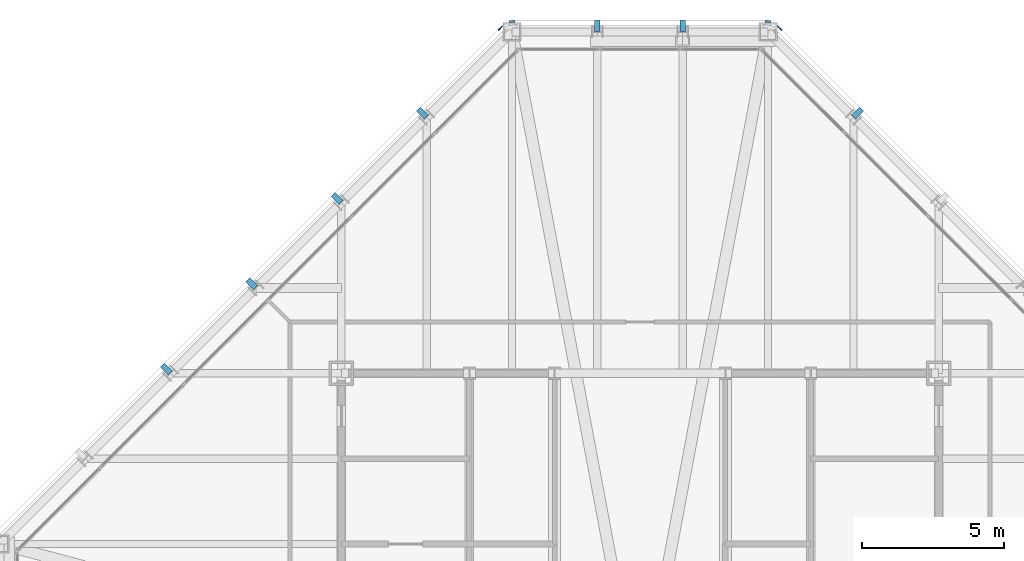
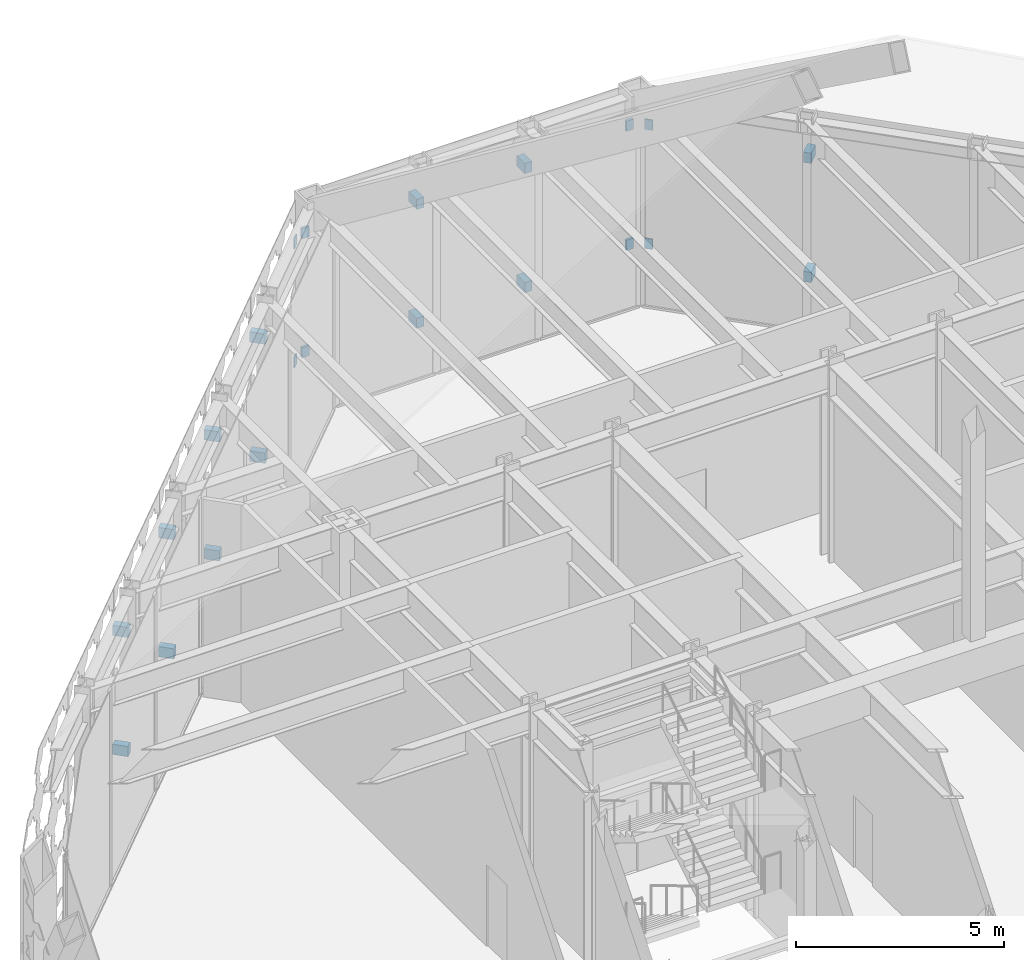
# One storey, part 19 of 30: 22 discrete accessories.
"""IFC4 building model written with IfcOpenShell, lengths in metres."""

from ifc_helpers import new_model, si_unit, direction, frame, origin, origin_2d, place, context, subcontext, project, spatial, rectangle, extrude, material, type_object, element, save


model = new_model("IFC4")

# Units and contexts
model_context = context("Model", 3, precision=1e-05, world=origin(), true_north=direction((0.0, 1.0)))
body_context = subcontext(model_context, "Body", "Model", "MODEL_VIEW")
ifc_project = project(units=[si_unit("LENGTHUNIT", "METRE"), si_unit("AREAUNIT", "SQUARE_METRE"), si_unit("VOLUMEUNIT", "CUBIC_METRE"), si_unit("PLANEANGLEUNIT", "RADIAN"), si_unit("MASSUNIT", "GRAM", prefix="KILO")], contexts=[model_context])

# Site, building, storey
site_placement = place(None, origin())
site = spatial("IfcSite", under=ifc_project, at=site_placement, CompositionType="ELEMENT")
building_placement = place(site_placement, origin())
building = spatial("IfcBuilding", under=site, at=building_placement, Name="Chuquiago Exchange Tower", CompositionType="ELEMENT")
storey_placement = place(building_placement, frame((0.0, 0.0, 306.0)))
storey = spatial("IfcBuildingStorey", under=building, at=storey_placement, Name="L68", CompositionType="ELEMENT", Elevation=306.0)

# Discrete accessories
ifc_material_1 = material(Name="Stainless steel plate bracket", Category="steel")
discrete_accessory_type_1 = type_object("IfcDiscreteAccessoryType", Name="GB1 cladding bracket 388", PredefinedType="BRACKET", material=ifc_material_1)
for number, where, z_axis, x_axis, name in (
    (1, (24.0, 45.206298828125, 1.0048828125), (0.0, 0.0, 1.0), (-1.0, 0.0, 0.0), "Cladding bracket L68 N"),
    (2, (24.0, 45.206298828125, 4.5), (0.0, 0.0, 1.0), (-1.0, 0.0, 0.0), "Cladding bracket L68 N"),
    (3, (21.0, 45.206298828125, 1.0048828125), (0.0, 0.0, 1.0), (-1.0, 0.0, 0.0), "Cladding bracket L68 N"),
    (4, (21.0, 45.206298828125, 4.5), (0.0, 0.0, 1.0), (-1.0, 0.0, 0.0), "Cladding bracket L68 N"),
):
    element("IfcDiscreteAccessory", number, at=place(storey_placement, frame(where, z_axis=z_axis, x_axis=x_axis)), inside=storey, type_object=discrete_accessory_type_1, Name=name, PredefinedType="BRACKET", context=body_context, shape_type="SweptSolid", body=[
        extrude(rectangle(XDim=0.199951171875, YDim=0.3876953125, at=origin_2d()), origin(), (0.0, 0.0, 1.0), 0.300048828125),
    ])
ifc_material_2 = material(Name="Stainless steel plate bracket", Category="steel")
discrete_accessory_type_2 = type_object("IfcDiscreteAccessoryType", Name="GB2 cladding bracket 386", PredefinedType="BRACKET", material=ifc_material_2)
for number, where, z_axis, x_axis, name in (
    (5, (30.146240234375, 42.146240234375, 1.0048828125), (0.0, 0.0, 1.0), (-0.707106781187, 0.707106781187, 0.0), "Cladding bracket L68 NE"),
    (6, (30.146240234375, 42.146240234375, 4.5), (0.0, 0.0, 1.0), (-0.707106781187, 0.707106781187, 0.0), "Cladding bracket L68 NE"),
    (7, (14.853759765625, 42.146240234375, 1.0048828125), (0.0, 0.0, 1.0), (-0.707106781187, -0.707106781187, 0.0), "Cladding bracket L68 NW"),
    (8, (14.853759765625, 42.146240234375, 4.5), (0.0, 0.0, 1.0), (-0.707106781187, -0.707106781187, 0.0), "Cladding bracket L68 NW"),
    (9, (11.853759765625, 39.146240234375, 1.0048828125), (0.0, 0.0, 1.0), (-0.707106781187, -0.707106781187, 0.0), "Cladding bracket L68 NW"),
    (10, (11.853759765625, 39.146240234375, 4.5), (0.0, 0.0, 1.0), (-0.707106781187, -0.707106781187, 0.0), "Cladding bracket L68 NW"),
    (11, (8.853759765625, 36.146240234375, 1.0048828125), (0.0, 0.0, 1.0), (-0.707106781187, -0.707106781187, 0.0), "Cladding bracket L68 NW"),
    (12, (8.853759765625, 36.146240234375, 4.5), (0.0, 0.0, 1.0), (-0.707106781187, -0.707106781187, 0.0), "Cladding bracket L68 NW"),
    (13, (5.853759765625, 33.146240234375, 1.0048828125), (0.0, 0.0, 1.0), (-0.707106781187, -0.707106781187, 0.0), "Cladding bracket L68 NW"),
    (14, (5.853759765625, 33.146240234375, 4.5), (0.0, 0.0, 1.0), (-0.707106781187, -0.707106781187, 0.0), "Cladding bracket L68 NW"),
):
    element("IfcDiscreteAccessory", number, at=place(storey_placement, frame(where, z_axis=z_axis, x_axis=x_axis)), inside=storey, type_object=discrete_accessory_type_2, Name=name, PredefinedType="BRACKET", context=body_context, shape_type="SweptSolid", body=[
        extrude(rectangle(XDim=0.199951171875, YDim=0.386474609375, at=origin_2d()), origin(), (0.0, 0.0, 1.0), 0.300048828125),
    ])
ifc_material_3 = material(Name="Stainless steel plate bracket", Category="steel")
discrete_accessory_type_3 = type_object("IfcDiscreteAccessoryType", Name="GB4 cladding bracket 75", PredefinedType="BRACKET", material=ifc_material_3)
for number, where, z_axis, x_axis, name in (
    (15, (27.0, 45.362548828125, 1.0048828125), (0.0, 0.0, 1.0), (-1.0, 0.0, 0.0), "Cladding bracket L68 N"),
    (16, (27.0, 45.362548828125, 4.5), (0.0, 0.0, 1.0), (-1.0, 0.0, 0.0), "Cladding bracket L68 N"),
    (17, (18.0, 45.362548828125, 1.0048828125), (0.0, 0.0, 1.0), (-1.0, 0.0, 0.0), "Cladding bracket L68 N"),
    (18, (18.0, 45.362548828125, 4.5), (0.0, 0.0, 1.0), (-1.0, 0.0, 0.0), "Cladding bracket L68 N"),
):
    element("IfcDiscreteAccessory", number, at=place(storey_placement, frame(where, z_axis=z_axis, x_axis=x_axis)), inside=storey, type_object=discrete_accessory_type_3, Name=name, PredefinedType="BRACKET", context=body_context, shape_type="SweptSolid", body=[
        extrude(rectangle(XDim=0.199951171875, YDim=0.074951171875, at=origin_2d()), origin(), (0.0, 0.0, 1.0), 0.300048828125),
    ])
ifc_material_4 = material(Name="Stainless steel plate bracket", Category="steel")
discrete_accessory_type_4 = type_object("IfcDiscreteAccessoryType", Name="GB6 cladding bracket 35", PredefinedType="BRACKET", material=ifc_material_4)
for number, where, z_axis, x_axis, name in (
    (19, (27.408203125, 45.132568359375, 1.0048828125), (0.0, 0.0, 1.0), (-0.707106781187, 0.707106781187, 0.0), "Cladding bracket L68 NE"),
    (20, (27.408203125, 45.132568359375, 4.5), (0.0, 0.0, 1.0), (-0.707106781187, 0.707106781187, 0.0), "Cladding bracket L68 NE"),
    (21, (17.591796875, 45.13232421875, 1.0048828125), (0.0, 0.0, 1.0), (-0.707106781187, -0.707106781187, 0.0), "Cladding bracket L68 NW"),
    (22, (17.591796875, 45.13232421875, 4.5), (0.0, 0.0, 1.0), (-0.707106781187, -0.707106781187, 0.0), "Cladding bracket L68 NW"),
):
    element("IfcDiscreteAccessory", number, at=place(storey_placement, frame(where, z_axis=z_axis, x_axis=x_axis)), inside=storey, type_object=discrete_accessory_type_4, Name=name, PredefinedType="BRACKET", context=body_context, shape_type="SweptSolid", body=[
        extrude(rectangle(XDim=0.199951171875, YDim=0.035400390625, at=origin_2d()), origin(), (0.0, 0.0, 1.0), 0.300048828125),
    ])

save(model, "model.ifc")
